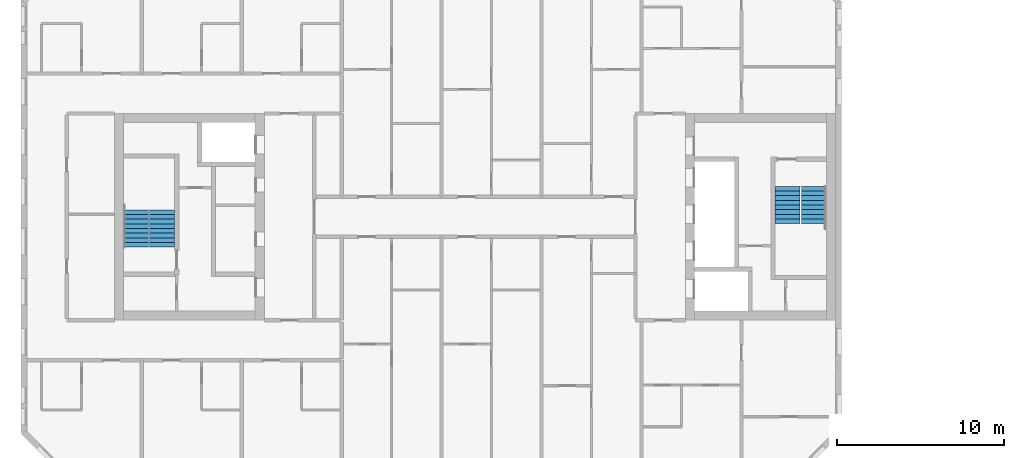
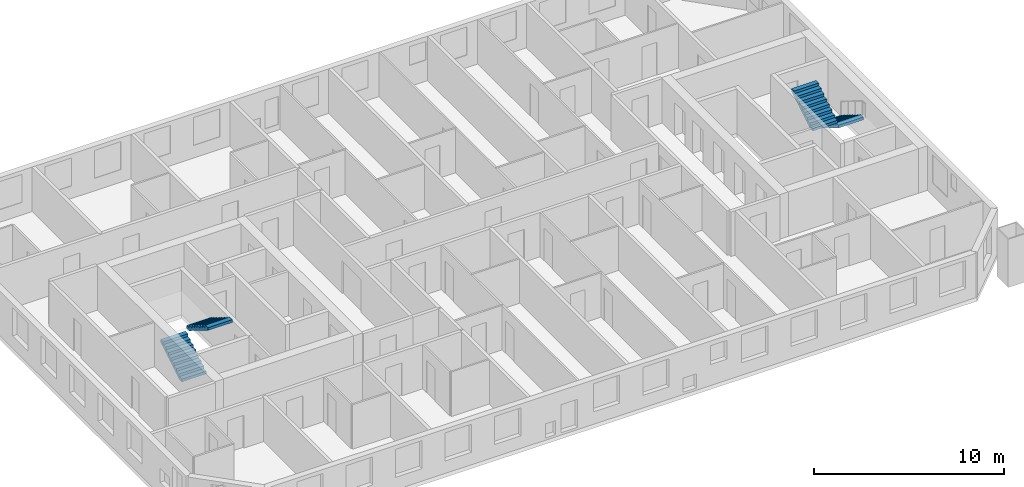
# One storey, part 15 of 16: 4 stair flights, 2 elements without a shape of their own.
"""IFC4 building model written with IfcOpenShell, lengths in metres."""

from ifc_helpers import new_model, si_unit, direction, frame, origin, place, context, subcontext, project, spatial, faceted_brep, material, type_object, element, aggregate, save


model = new_model("IFC4")

# Units and contexts
model_context = context("Model", 3, precision=1e-05, world=origin(), true_north=direction((0.0, 1.0)))
body_context = subcontext(model_context, "Body", "Model", "MODEL_VIEW")
ifc_project = project(units=[si_unit("LENGTHUNIT", "METRE"), si_unit("AREAUNIT", "SQUARE_METRE"), si_unit("VOLUMEUNIT", "CUBIC_METRE"), si_unit("PLANEANGLEUNIT", "RADIAN"), si_unit("MASSUNIT", "GRAM", prefix="KILO")], contexts=[model_context])

# Site, building, storey
site_placement = place(None, origin())
site = spatial("IfcSite", under=ifc_project, at=site_placement, CompositionType="ELEMENT")
building_placement = place(site_placement, origin())
building = spatial("IfcBuilding", under=site, at=building_placement, Name="Tuart Gate Housing", CompositionType="ELEMENT")
storey_placement = place(building_placement, frame((0.0, 0.0, 136.10009765625)))
storey = spatial("IfcBuildingStorey", under=building, at=storey_placement, Name="L38", CompositionType="ELEMENT", Elevation=136.10009765625)

# Stair, stair flights
ifc_material_1 = material(Name="Concrete C40", Category="concrete")
stair_type = type_object("IfcStairType", Name="Core stair 1500", PredefinedType="HALF_TURN_STAIR", material=ifc_material_1)
stair_1_placement = place(storey_placement, origin())
stair_1 = element("IfcStair", 1, at=stair_1_placement, inside=storey, type_object=stair_type, Name="Stair SA1", PredefinedType="HALF_TURN_STAIR")
ifc_material_2 = material(Name="Concrete C40", Category="concrete")
stair_flight_type = type_object("IfcStairFlightType", Name="Stair flight 1500, 9 risers 172 x 280", PredefinedType="STRAIGHT", material=ifc_material_2)
stair_flight_1_placement = place(storey_placement, frame((74.340087890625, 71.824951171875, 0.0), z_axis=(0.0, 0.0, 1.0), x_axis=(0.0, -1.0, 0.0)))
stair_flight_1 = element("IfcStairFlight", 2, at=stair_flight_1_placement, type_object=stair_flight_type, Name="SA1 flight 1", NumberOfRisers=9, NumberOfTreads=8, PredefinedType="STRAIGHT", RiserHeight=0.172222222, TreadLength=0.28, context=body_context, shape_type="Brep", body=[
    faceted_brep([(0.0, 0.75, 0.0), (0.0, 0.75, 0.172119140625), (0.280029296875, 0.75, 0.172119140625), (0.280029296875, 0.75, 0.344482421875), (0.56005859375, 0.75, 0.344482421875), (0.56005859375, 0.75, 0.5166015625), (0.840087890625, 0.75, 0.5166015625), (0.840087890625, 0.75, 0.68896484375), (1.1201171875, 0.75, 0.68896484375), (1.1201171875, 0.75, 0.861083984375), (1.39990234375, 0.75, 0.861083984375), (1.39990234375, 0.75, 1.033447265625), (1.679931640625, 0.75, 1.033447265625), (1.679931640625, 0.75, 1.20556640625), (1.9599609375, 0.75, 1.20556640625), (1.9599609375, 0.75, 1.377685546875), (2.239990234375, 0.75, 1.377685546875), (2.239990234375, 0.75, 1.201904296875), (0.2861328125, 0.75, 0.0), (0.2861328125, -0.75, 0.0), (2.239990234375, -0.75, 1.201904296875), (2.239990234375, -0.75, 1.377685546875), (1.9599609375, -0.75, 1.377685546875), (1.9599609375, -0.75, 1.20556640625), (1.679931640625, -0.75, 1.20556640625), (1.679931640625, -0.75, 1.033447265625), (1.39990234375, -0.75, 1.033447265625), (1.39990234375, -0.75, 0.861083984375), (1.1201171875, -0.75, 0.861083984375), (1.1201171875, -0.75, 0.68896484375), (0.840087890625, -0.75, 0.68896484375), (0.840087890625, -0.75, 0.5166015625), (0.56005859375, -0.75, 0.5166015625), (0.56005859375, -0.75, 0.344482421875), (0.280029296875, -0.75, 0.344482421875), (0.280029296875, -0.75, 0.172119140625), (0.0, -0.75, 0.172119140625), (0.0, -0.75, 0.0), (2.239990234375, 0.0, 1.201904296875), (0.2861328125, 0.0, 0.0), (2.239990234375, 0.0, 1.377685546875), (1.9599609375, 0.0, 1.377685546875), (1.9599609375, 0.0, 1.20556640625), (1.679931640625, 0.0, 1.20556640625), (1.679931640625, 0.0, 1.033447265625), (1.39990234375, 0.0, 1.033447265625), (1.39990234375, 0.0, 0.861083984375), (1.1201171875, 0.0, 0.861083984375), (1.1201171875, 0.0, 0.68896484375), (0.840087890625, 0.0, 0.68896484375), (0.840087890625, 0.0, 0.5166015625), (0.56005859375, 0.0, 0.5166015625), (0.56005859375, 0.0, 0.344482421875), (0.280029296875, 0.0, 0.344482421875), (0.280029296875, 0.0, 0.172119140625), (0.0, 0.0, 0.172119140625), (0.0, 0.0, 0.0)], [[[0, 1, 2, 3, 4, 5, 6, 7, 8, 9, 10, 11, 12, 13, 14, 15, 16, 17, 18]], [[19, 20, 21, 22, 23, 24, 25, 26, 27, 28, 29, 30, 31, 32, 33, 34, 35, 36, 37]], [[18, 17, 38, 39]], [[39, 38, 20, 19]], [[17, 16, 40, 38]], [[38, 40, 21, 20]], [[16, 15, 41, 40]], [[40, 41, 22, 21]], [[15, 14, 42, 41]], [[41, 42, 23, 22]], [[14, 13, 43, 42]], [[42, 43, 24, 23]], [[13, 12, 44, 43]], [[43, 44, 25, 24]], [[12, 11, 45, 44]], [[44, 45, 26, 25]], [[11, 10, 46, 45]], [[45, 46, 27, 26]], [[10, 9, 47, 46]], [[46, 47, 28, 27]], [[9, 8, 48, 47]], [[47, 48, 29, 28]], [[8, 7, 49, 48]], [[48, 49, 30, 29]], [[7, 6, 50, 49]], [[49, 50, 31, 30]], [[6, 5, 51, 50]], [[50, 51, 32, 31]], [[5, 4, 52, 51]], [[51, 52, 33, 32]], [[4, 3, 53, 52]], [[52, 53, 34, 33]], [[3, 2, 54, 53]], [[53, 54, 35, 34]], [[2, 1, 55, 54]], [[54, 55, 36, 35]], [[1, 0, 56, 55]], [[55, 56, 37, 36]], [[0, 18, 39, 56]], [[56, 39, 19, 37]]]),
])
stair_flight_2_placement = place(storey_placement, frame((72.764892578125, 69.5849609375, 1.5498046875), z_axis=(0.0, 0.0, 1.0), x_axis=(0.0, 1.0, 0.0)))
stair_flight_2 = element("IfcStairFlight", 3, at=stair_flight_2_placement, type_object=stair_flight_type, Name="SA1 flight 2", NumberOfRisers=9, NumberOfTreads=8, PredefinedType="STRAIGHT", RiserHeight=0.172222222, TreadLength=0.28, context=body_context, shape_type="Brep", body=[
    faceted_brep([(0.0, 0.75, 0.0), (0.0, 0.75, 0.172119140625), (0.280029296875, 0.75, 0.172119140625), (0.280029296875, 0.75, 0.344482421875), (0.56005859375, 0.75, 0.344482421875), (0.56005859375, 0.75, 0.5166015625), (0.840087890625, 0.75, 0.5166015625), (0.840087890625, 0.75, 0.68896484375), (1.1201171875, 0.75, 0.68896484375), (1.1201171875, 0.75, 0.861083984375), (1.39990234375, 0.75, 0.861083984375), (1.39990234375, 0.75, 1.033447265625), (1.679931640625, 0.75, 1.033447265625), (1.679931640625, 0.75, 1.20556640625), (1.9599609375, 0.75, 1.20556640625), (1.9599609375, 0.75, 1.377685546875), (2.239990234375, 0.75, 1.377685546875), (2.239990234375, 0.75, 1.201904296875), (0.2861328125, 0.75, 0.0), (0.2861328125, -0.75, 0.0), (2.239990234375, -0.75, 1.201904296875), (2.239990234375, -0.75, 1.377685546875), (1.9599609375, -0.75, 1.377685546875), (1.9599609375, -0.75, 1.20556640625), (1.679931640625, -0.75, 1.20556640625), (1.679931640625, -0.75, 1.033447265625), (1.39990234375, -0.75, 1.033447265625), (1.39990234375, -0.75, 0.861083984375), (1.1201171875, -0.75, 0.861083984375), (1.1201171875, -0.75, 0.68896484375), (0.840087890625, -0.75, 0.68896484375), (0.840087890625, -0.75, 0.5166015625), (0.56005859375, -0.75, 0.5166015625), (0.56005859375, -0.75, 0.344482421875), (0.280029296875, -0.75, 0.344482421875), (0.280029296875, -0.75, 0.172119140625), (0.0, -0.75, 0.172119140625), (0.0, -0.75, 0.0), (2.239990234375, 0.0, 1.201904296875), (0.2861328125, 0.0, 0.0), (2.239990234375, 0.0, 1.377685546875), (1.9599609375, 0.0, 1.377685546875), (1.9599609375, 0.0, 1.20556640625), (1.679931640625, 0.0, 1.20556640625), (1.679931640625, 0.0, 1.033447265625), (1.39990234375, 0.0, 1.033447265625), (1.39990234375, 0.0, 0.861083984375), (1.1201171875, 0.0, 0.861083984375), (1.1201171875, 0.0, 0.68896484375), (0.840087890625, 0.0, 0.68896484375), (0.840087890625, 0.0, 0.5166015625), (0.56005859375, 0.0, 0.5166015625), (0.56005859375, 0.0, 0.344482421875), (0.280029296875, 0.0, 0.344482421875), (0.280029296875, 0.0, 0.172119140625), (0.0, 0.0, 0.172119140625), (0.0, 0.0, 0.0)], [[[0, 1, 2, 3, 4, 5, 6, 7, 8, 9, 10, 11, 12, 13, 14, 15, 16, 17, 18]], [[19, 20, 21, 22, 23, 24, 25, 26, 27, 28, 29, 30, 31, 32, 33, 34, 35, 36, 37]], [[18, 17, 38, 39]], [[39, 38, 20, 19]], [[17, 16, 40, 38]], [[38, 40, 21, 20]], [[16, 15, 41, 40]], [[40, 41, 22, 21]], [[15, 14, 42, 41]], [[41, 42, 23, 22]], [[14, 13, 43, 42]], [[42, 43, 24, 23]], [[13, 12, 44, 43]], [[43, 44, 25, 24]], [[12, 11, 45, 44]], [[44, 45, 26, 25]], [[11, 10, 46, 45]], [[45, 46, 27, 26]], [[10, 9, 47, 46]], [[46, 47, 28, 27]], [[9, 8, 48, 47]], [[47, 48, 29, 28]], [[8, 7, 49, 48]], [[48, 49, 30, 29]], [[7, 6, 50, 49]], [[49, 50, 31, 30]], [[6, 5, 51, 50]], [[50, 51, 32, 31]], [[5, 4, 52, 51]], [[51, 52, 33, 32]], [[4, 3, 53, 52]], [[52, 53, 34, 33]], [[3, 2, 54, 53]], [[53, 54, 35, 34]], [[2, 1, 55, 54]], [[54, 55, 36, 35]], [[1, 0, 56, 55]], [[55, 56, 37, 36]], [[0, 18, 39, 56]], [[56, 39, 19, 37]]]),
])
aggregate(stair_1, [stair_flight_1, stair_flight_2])

stair_2_placement = place(storey_placement, origin())
stair_2 = element("IfcStair", 4, at=stair_2_placement, inside=storey, type_object=stair_type, Name="Stair SA2", PredefinedType="HALF_TURN_STAIR")
stair_flight_3_placement = place(storey_placement, frame((33.659912109375, 68.175048828125, 0.0), z_axis=(0.0, 0.0, 1.0), x_axis=(0.0, 1.0, 0.0)))
stair_flight_3 = element("IfcStairFlight", 5, at=stair_flight_3_placement, type_object=stair_flight_type, Name="SA2 flight 1", NumberOfRisers=9, NumberOfTreads=8, PredefinedType="STRAIGHT", RiserHeight=0.172222222, TreadLength=0.28, context=body_context, shape_type="Brep", body=[
    faceted_brep([(0.0, 0.75, 0.0), (0.0, 0.75, 0.172119140625), (0.280029296875, 0.75, 0.172119140625), (0.280029296875, 0.75, 0.344482421875), (0.56005859375, 0.75, 0.344482421875), (0.56005859375, 0.75, 0.5166015625), (0.840087890625, 0.75, 0.5166015625), (0.840087890625, 0.75, 0.68896484375), (1.1201171875, 0.75, 0.68896484375), (1.1201171875, 0.75, 0.861083984375), (1.39990234375, 0.75, 0.861083984375), (1.39990234375, 0.75, 1.033447265625), (1.679931640625, 0.75, 1.033447265625), (1.679931640625, 0.75, 1.20556640625), (1.9599609375, 0.75, 1.20556640625), (1.9599609375, 0.75, 1.377685546875), (2.239990234375, 0.75, 1.377685546875), (2.239990234375, 0.75, 1.201904296875), (0.2861328125, 0.75, 0.0), (0.2861328125, -0.75, 0.0), (2.239990234375, -0.75, 1.201904296875), (2.239990234375, -0.75, 1.377685546875), (1.9599609375, -0.75, 1.377685546875), (1.9599609375, -0.75, 1.20556640625), (1.679931640625, -0.75, 1.20556640625), (1.679931640625, -0.75, 1.033447265625), (1.39990234375, -0.75, 1.033447265625), (1.39990234375, -0.75, 0.861083984375), (1.1201171875, -0.75, 0.861083984375), (1.1201171875, -0.75, 0.68896484375), (0.840087890625, -0.75, 0.68896484375), (0.840087890625, -0.75, 0.5166015625), (0.56005859375, -0.75, 0.5166015625), (0.56005859375, -0.75, 0.344482421875), (0.280029296875, -0.75, 0.344482421875), (0.280029296875, -0.75, 0.172119140625), (0.0, -0.75, 0.172119140625), (0.0, -0.75, 0.0), (2.239990234375, 0.0, 1.201904296875), (0.2861328125, 0.0, 0.0), (2.239990234375, 0.0, 1.377685546875), (1.9599609375, 0.0, 1.377685546875), (1.9599609375, 0.0, 1.20556640625), (1.679931640625, 0.0, 1.20556640625), (1.679931640625, 0.0, 1.033447265625), (1.39990234375, 0.0, 1.033447265625), (1.39990234375, 0.0, 0.861083984375), (1.1201171875, 0.0, 0.861083984375), (1.1201171875, 0.0, 0.68896484375), (0.840087890625, 0.0, 0.68896484375), (0.840087890625, 0.0, 0.5166015625), (0.56005859375, 0.0, 0.5166015625), (0.56005859375, 0.0, 0.344482421875), (0.280029296875, 0.0, 0.344482421875), (0.280029296875, 0.0, 0.172119140625), (0.0, 0.0, 0.172119140625), (0.0, 0.0, 0.0)], [[[0, 1, 2, 3, 4, 5, 6, 7, 8, 9, 10, 11, 12, 13, 14, 15, 16, 17, 18]], [[19, 20, 21, 22, 23, 24, 25, 26, 27, 28, 29, 30, 31, 32, 33, 34, 35, 36, 37]], [[18, 17, 38, 39]], [[39, 38, 20, 19]], [[17, 16, 40, 38]], [[38, 40, 21, 20]], [[16, 15, 41, 40]], [[40, 41, 22, 21]], [[15, 14, 42, 41]], [[41, 42, 23, 22]], [[14, 13, 43, 42]], [[42, 43, 24, 23]], [[13, 12, 44, 43]], [[43, 44, 25, 24]], [[12, 11, 45, 44]], [[44, 45, 26, 25]], [[11, 10, 46, 45]], [[45, 46, 27, 26]], [[10, 9, 47, 46]], [[46, 47, 28, 27]], [[9, 8, 48, 47]], [[47, 48, 29, 28]], [[8, 7, 49, 48]], [[48, 49, 30, 29]], [[7, 6, 50, 49]], [[49, 50, 31, 30]], [[6, 5, 51, 50]], [[50, 51, 32, 31]], [[5, 4, 52, 51]], [[51, 52, 33, 32]], [[4, 3, 53, 52]], [[52, 53, 34, 33]], [[3, 2, 54, 53]], [[53, 54, 35, 34]], [[2, 1, 55, 54]], [[54, 55, 36, 35]], [[1, 0, 56, 55]], [[55, 56, 37, 36]], [[0, 18, 39, 56]], [[56, 39, 19, 37]]]),
])
stair_flight_4_placement = place(storey_placement, frame((35.235107421875, 70.4150390625, 1.5498046875), z_axis=(0.0, 0.0, 1.0), x_axis=(0.0, -1.0, 0.0)))
stair_flight_4 = element("IfcStairFlight", 6, at=stair_flight_4_placement, type_object=stair_flight_type, Name="SA2 flight 2", NumberOfRisers=9, NumberOfTreads=8, PredefinedType="STRAIGHT", RiserHeight=0.172222222, TreadLength=0.28, context=body_context, shape_type="Brep", body=[
    faceted_brep([(0.0, 0.75, 0.0), (0.0, 0.75, 0.172119140625), (0.280029296875, 0.75, 0.172119140625), (0.280029296875, 0.75, 0.344482421875), (0.56005859375, 0.75, 0.344482421875), (0.56005859375, 0.75, 0.5166015625), (0.840087890625, 0.75, 0.5166015625), (0.840087890625, 0.75, 0.68896484375), (1.1201171875, 0.75, 0.68896484375), (1.1201171875, 0.75, 0.861083984375), (1.39990234375, 0.75, 0.861083984375), (1.39990234375, 0.75, 1.033447265625), (1.679931640625, 0.75, 1.033447265625), (1.679931640625, 0.75, 1.20556640625), (1.9599609375, 0.75, 1.20556640625), (1.9599609375, 0.75, 1.377685546875), (2.239990234375, 0.75, 1.377685546875), (2.239990234375, 0.75, 1.201904296875), (0.2861328125, 0.75, 0.0), (0.2861328125, -0.75, 0.0), (2.239990234375, -0.75, 1.201904296875), (2.239990234375, -0.75, 1.377685546875), (1.9599609375, -0.75, 1.377685546875), (1.9599609375, -0.75, 1.20556640625), (1.679931640625, -0.75, 1.20556640625), (1.679931640625, -0.75, 1.033447265625), (1.39990234375, -0.75, 1.033447265625), (1.39990234375, -0.75, 0.861083984375), (1.1201171875, -0.75, 0.861083984375), (1.1201171875, -0.75, 0.68896484375), (0.840087890625, -0.75, 0.68896484375), (0.840087890625, -0.75, 0.5166015625), (0.56005859375, -0.75, 0.5166015625), (0.56005859375, -0.75, 0.344482421875), (0.280029296875, -0.75, 0.344482421875), (0.280029296875, -0.75, 0.172119140625), (0.0, -0.75, 0.172119140625), (0.0, -0.75, 0.0), (2.239990234375, 0.0, 1.201904296875), (0.2861328125, 0.0, 0.0), (2.239990234375, 0.0, 1.377685546875), (1.9599609375, 0.0, 1.377685546875), (1.9599609375, 0.0, 1.20556640625), (1.679931640625, 0.0, 1.20556640625), (1.679931640625, 0.0, 1.033447265625), (1.39990234375, 0.0, 1.033447265625), (1.39990234375, 0.0, 0.861083984375), (1.1201171875, 0.0, 0.861083984375), (1.1201171875, 0.0, 0.68896484375), (0.840087890625, 0.0, 0.68896484375), (0.840087890625, 0.0, 0.5166015625), (0.56005859375, 0.0, 0.5166015625), (0.56005859375, 0.0, 0.344482421875), (0.280029296875, 0.0, 0.344482421875), (0.280029296875, 0.0, 0.172119140625), (0.0, 0.0, 0.172119140625), (0.0, 0.0, 0.0)], [[[0, 1, 2, 3, 4, 5, 6, 7, 8, 9, 10, 11, 12, 13, 14, 15, 16, 17, 18]], [[19, 20, 21, 22, 23, 24, 25, 26, 27, 28, 29, 30, 31, 32, 33, 34, 35, 36, 37]], [[18, 17, 38, 39]], [[39, 38, 20, 19]], [[17, 16, 40, 38]], [[38, 40, 21, 20]], [[16, 15, 41, 40]], [[40, 41, 22, 21]], [[15, 14, 42, 41]], [[41, 42, 23, 22]], [[14, 13, 43, 42]], [[42, 43, 24, 23]], [[13, 12, 44, 43]], [[43, 44, 25, 24]], [[12, 11, 45, 44]], [[44, 45, 26, 25]], [[11, 10, 46, 45]], [[45, 46, 27, 26]], [[10, 9, 47, 46]], [[46, 47, 28, 27]], [[9, 8, 48, 47]], [[47, 48, 29, 28]], [[8, 7, 49, 48]], [[48, 49, 30, 29]], [[7, 6, 50, 49]], [[49, 50, 31, 30]], [[6, 5, 51, 50]], [[50, 51, 32, 31]], [[5, 4, 52, 51]], [[51, 52, 33, 32]], [[4, 3, 53, 52]], [[52, 53, 34, 33]], [[3, 2, 54, 53]], [[53, 54, 35, 34]], [[2, 1, 55, 54]], [[54, 55, 36, 35]], [[1, 0, 56, 55]], [[55, 56, 37, 36]], [[0, 18, 39, 56]], [[56, 39, 19, 37]]]),
])
aggregate(stair_2, [stair_flight_3, stair_flight_4])

save(model, "model.ifc")
